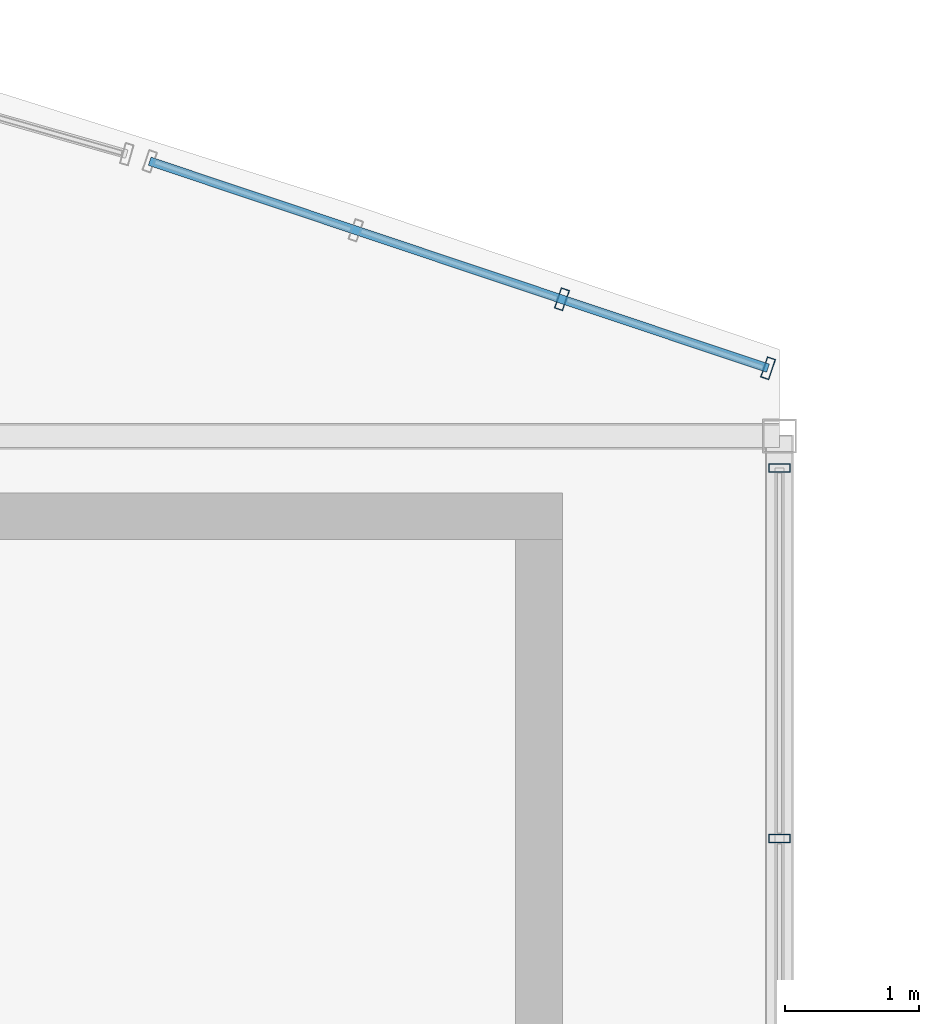
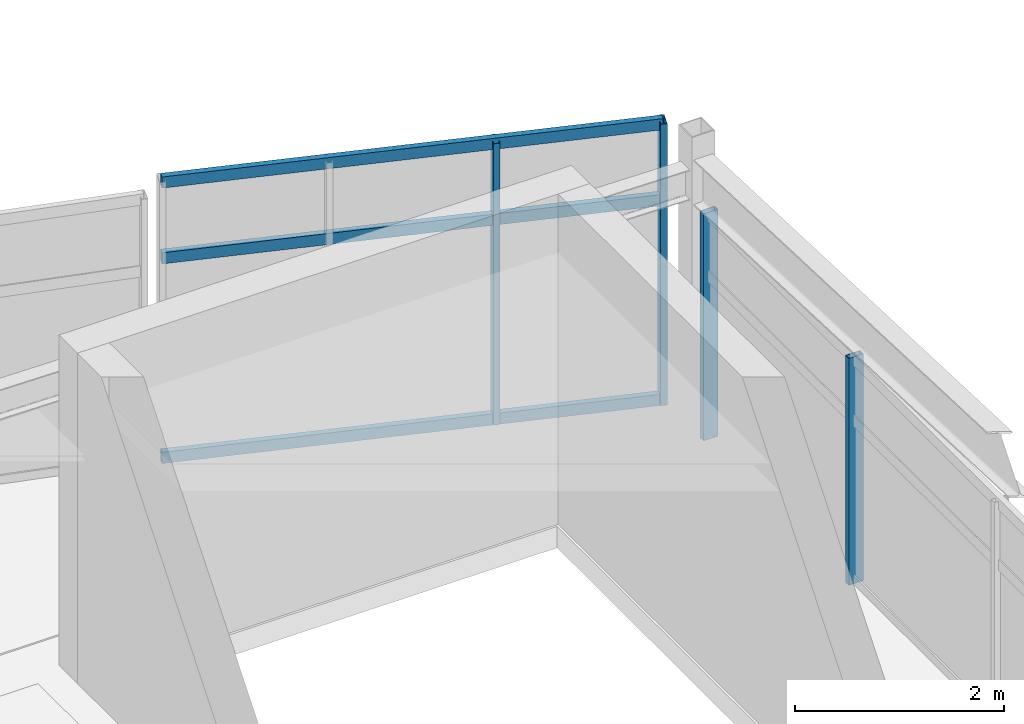
# One storey, part 36 of 114: 7 members, 2 elements without a shape of their own.
"""IFC4 building model written with IfcOpenShell, lengths in metres."""

from ifc_helpers import new_model, si_unit, direction, frame, origin, origin_2d, place, context, subcontext, project, spatial, hollow_rectangle, extrude, material, layer, layer_set, material_profile, profile_set, type_object, element, aggregate, save


model = new_model("IFC4")

# Units and contexts
model_context = context("Model", 3, precision=1e-05, world=origin(), true_north=direction((0.0, 1.0)))
body_context = subcontext(model_context, "Body", "Model", "MODEL_VIEW")
ifc_project = project(units=[si_unit("LENGTHUNIT", "METRE"), si_unit("AREAUNIT", "SQUARE_METRE"), si_unit("VOLUMEUNIT", "CUBIC_METRE"), si_unit("PLANEANGLEUNIT", "RADIAN"), si_unit("MASSUNIT", "GRAM", prefix="KILO")], contexts=[model_context])

# Site, building, storey
site_placement = place(None, origin())
site = spatial("IfcSite", under=ifc_project, at=site_placement, CompositionType="ELEMENT")
building_placement = place(site_placement, origin())
building = spatial("IfcBuilding", under=site, at=building_placement, Name="Chalmorin Arch Market", CompositionType="ELEMENT")
storey_placement = place(building_placement, frame((0.0, 0.0, 9.60009765625)))
storey = spatial("IfcBuildingStorey", under=building, at=storey_placement, Name="L02", CompositionType="ELEMENT", Elevation=9.60009765625)

# Curtain wall, members
ifc_material = material(Name="Aluminium 6063-T6", Category="aluminium")
ifc_layer_1 = layer(ifc_material, 0.159912109375)
ifc_layer_set_1 = layer_set([ifc_layer_1], Name="Aluminium 6063-T6")
curtain_wall_type_1 = type_object("IfcCurtainWallType", Name="RiverfrontStorefrontCurtainWall-CW2-4880x3280", PredefinedType="NOTDEFINED", material=ifc_layer_set_1)
curtain_wall_1_placement = place(storey_placement, origin())
curtain_wall_1 = element("IfcCurtainWall", 1, at=curtain_wall_1_placement, inside=storey, type_object=curtain_wall_type_1, Name="CW-02-092", PredefinedType="NOTDEFINED")
ifc_material_profile_1 = material_profile(ifc_material, hollow_rectangle(XDim=0.06494140625, YDim=0.159912109375, WallThickness=0.00390625, at=origin_2d()), Name="ALU65X160X4")
ifc_profile_set_1 = profile_set([ifc_material_profile_1], Name="Aluminium 6063-T6")
member_type_1 = type_object("IfcMemberType", Name="CurtainWallMullion-65x160", PredefinedType="MULLION", material=ifc_profile_set_1)
member_1_placement = place(storey_placement, frame((36.771484375, 51.025146484375, 0.0), z_axis=(0.0, 0.0, 1.0), x_axis=(0.945518575599, -0.325568154457, 0.0)))
member_1 = element("IfcMember", 2, at=member_1_placement, type_object=member_type_1, Name="ML-092-03", PredefinedType="MULLION", context=body_context, shape_type="SweptSolid", body=[
    extrude(hollow_rectangle(XDim=0.06494140625, YDim=0.159912109375, WallThickness=0.00390625, at=origin_2d()), origin(), (0.0, 0.0, 1.0), 3.27978515625),
])
member_2_placement = place(storey_placement, frame((38.314697265625, 50.508544921875, 0.0), z_axis=(0.0, 0.0, 1.0), x_axis=(0.945518575599, -0.325568154457, 0.0)))
member_2 = element("IfcMember", 3, at=member_2_placement, type_object=member_type_1, Name="ML-092-04", PredefinedType="MULLION", context=body_context, shape_type="SweptSolid", body=[
    extrude(hollow_rectangle(XDim=0.06494140625, YDim=0.159912109375, WallThickness=0.00390625, at=origin_2d()), origin(), (0.0, 0.0, 1.0), 3.27978515625),
])

ifc_layer_2 = layer(ifc_material, 0.159912109375)
ifc_layer_set_2 = layer_set([ifc_layer_2], Name="Aluminium 6063-T6")
curtain_wall_type_2 = type_object("IfcCurtainWallType", Name="RiverfrontStorefrontCurtainWall-CW2-8330x2650", PredefinedType="NOTDEFINED", material=ifc_layer_set_2)
curtain_wall_2_placement = place(storey_placement, origin())
curtain_wall_2 = element("IfcCurtainWall", 4, at=curtain_wall_2_placement, inside=storey, type_object=curtain_wall_type_2, Name="CW-02-106", PredefinedType="NOTDEFINED")
member_3_placement = place(storey_placement, frame((38.39990234375, 46.98779296875, 0.0), z_axis=(0.0, 0.0, 1.0), x_axis=(0.0, 1.0, 0.0)))
member_3 = element("IfcMember", 5, at=member_3_placement, type_object=member_type_1, Name="ML-106-03", PredefinedType="MULLION", context=body_context, shape_type="SweptSolid", body=[
    extrude(hollow_rectangle(XDim=0.06494140625, YDim=0.159912109375, WallThickness=0.00390625, at=origin_2d()), origin(), (0.0, 0.0, 1.0), 2.6455078125),
])
member_4_placement = place(storey_placement, frame((38.39990234375, 49.762939453125, 0.0), z_axis=(0.0, 0.0, 1.0), x_axis=(0.0, 1.0, 0.0)))
member_4 = element("IfcMember", 6, at=member_4_placement, type_object=member_type_1, Name="ML-106-04", PredefinedType="MULLION", context=body_context, shape_type="SweptSolid", body=[
    extrude(hollow_rectangle(XDim=0.06494140625, YDim=0.159912109375, WallThickness=0.00390625, at=origin_2d()), origin(), (0.0, 0.0, 1.0), 2.6455078125),
])
aggregate(curtain_wall_2, [member_3, member_4])

# Member
ifc_material_profile_2 = material_profile(ifc_material, hollow_rectangle(XDim=0.06494140625, YDim=0.1298828125, WallThickness=0.00390625, at=origin_2d()), Name="ALU65X130X4")
ifc_profile_set_2 = profile_set([ifc_material_profile_2], Name="Aluminium 6063-T6")
member_type_2 = type_object("IfcMemberType", Name="CurtainWallTransom-65x130", PredefinedType="USERDEFINED", material=ifc_profile_set_2)
member_5_placement = place(storey_placement, frame((33.685302734375, 52.058349609375, 0.034912109375), z_axis=(0.948272425827, -0.317457723824, 0.0), x_axis=(0.317457723824, 0.948272425827, 0.0)))
member_5 = element("IfcMember", 7, at=member_5_placement, type_object=member_type_2, Name="TR-092-01", ObjectType="TRANSOM", PredefinedType="USERDEFINED", context=body_context, shape_type="SweptSolid", body=[
    extrude(hollow_rectangle(XDim=0.06494140625, YDim=0.1298828125, WallThickness=0.00390625, at=origin_2d()), origin(), (0.0, 0.0, 1.0), 4.8818359375),
])

member_6_placement = place(storey_placement, frame((33.685302734375, 52.058349609375, 2.361572265625), z_axis=(0.948272425827, -0.317457723824, 0.0), x_axis=(0.317457723824, 0.948272425827, 0.0)))
member_6 = element("IfcMember", 8, at=member_6_placement, type_object=member_type_2, Name="TR-092-02", ObjectType="TRANSOM", PredefinedType="USERDEFINED", context=body_context, shape_type="SweptSolid", body=[
    extrude(hollow_rectangle(XDim=0.06494140625, YDim=0.1298828125, WallThickness=0.00390625, at=origin_2d()), origin(), (0.0, 0.0, 1.0), 4.8818359375),
])

member_7_placement = place(storey_placement, frame((33.685302734375, 52.058349609375, 3.244873046875), z_axis=(0.948272425827, -0.317457723824, 0.0), x_axis=(0.317457723824, 0.948272425827, 0.0)))
member_7 = element("IfcMember", 9, at=member_7_placement, type_object=member_type_2, Name="TR-092-03", ObjectType="TRANSOM", PredefinedType="USERDEFINED", context=body_context, shape_type="SweptSolid", body=[
    extrude(hollow_rectangle(XDim=0.06494140625, YDim=0.1298828125, WallThickness=0.00390625, at=origin_2d()), origin(), (0.0, 0.0, 1.0), 4.8818359375),
])

aggregate(curtain_wall_1, [member_1, member_2, member_5, member_6, member_7])

save(model, "model.ifc")
